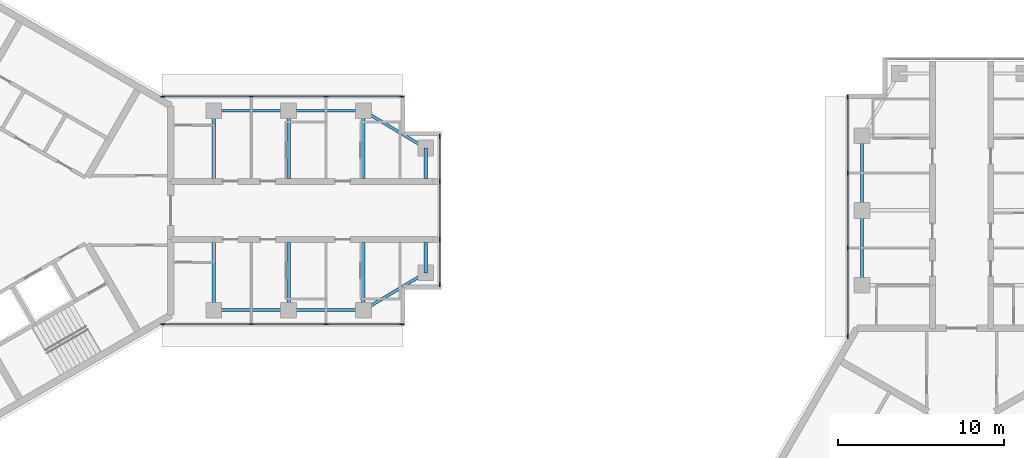
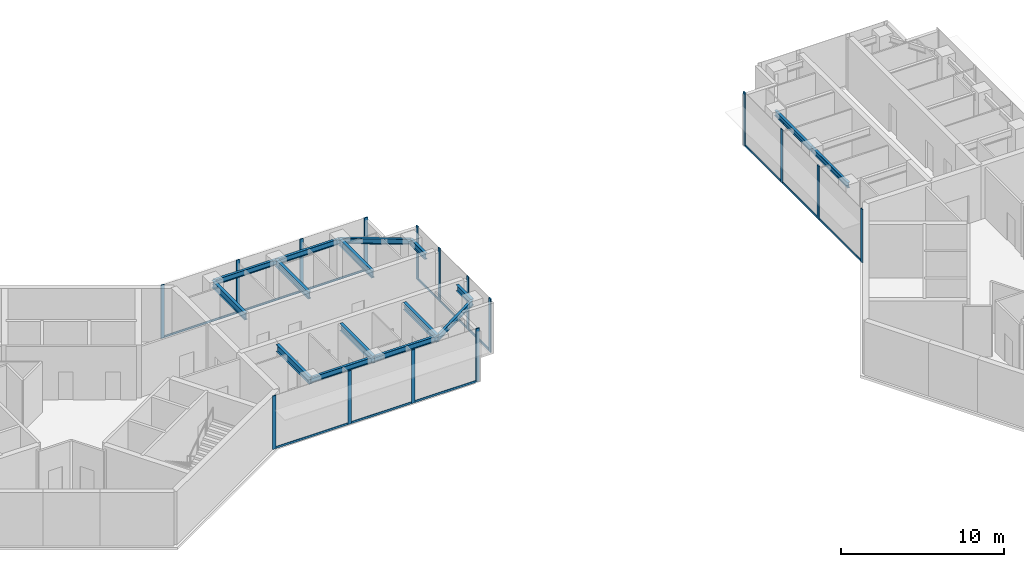
# One storey, part 2 of 11: 28 members, 16 beams, 4 elements without a shape of their own.
"""IFC4 building model written with IfcOpenShell, lengths in metres."""

from ifc_helpers import new_model, si_unit, direction, frame, origin, origin_2d, place, context, subcontext, project, spatial, rectangle, i_section, extrude, material, material_profile, profile_set, type_object, element, aggregate, save


model = new_model("IFC4")

# Units and contexts
model_context = context("Model", 3, precision=1e-05, world=origin(), true_north=direction((0.0, 1.0)))
body_context = subcontext(model_context, "Body", "Model", "MODEL_VIEW")
ifc_project = project(units=[si_unit("LENGTHUNIT", "METRE"), si_unit("AREAUNIT", "SQUARE_METRE"), si_unit("VOLUMEUNIT", "CUBIC_METRE"), si_unit("PLANEANGLEUNIT", "RADIAN"), si_unit("MASSUNIT", "GRAM", prefix="KILO")], contexts=[model_context])

# Site, building, storey
site_placement = place(None, origin())
site = spatial("IfcSite", under=ifc_project, at=site_placement, CompositionType="ELEMENT")
building_placement = place(site_placement, origin())
building = spatial("IfcBuilding", under=site, at=building_placement, Name="Upepo Twin Towers", CompositionType="ELEMENT")
storey_placement = place(building_placement, frame((0.0, 0.0, 279.5)))
storey = spatial("IfcBuildingStorey", under=building, at=storey_placement, Name="L68", CompositionType="ELEMENT", Elevation=279.5)

# Beams
ifc_material_1 = material(Name="Steel S355", Category="steel")
ifc_material_profile_1 = material_profile(ifc_material_1, i_section(OverallWidth=0.177978515625, OverallDepth=0.406494140625, WebThickness=0.0078125, FlangeThickness=0.0126953125, FilletRadius=0.01025390625, at=origin_2d()), Name="UB 406x178x60")
ifc_profile_set_1 = profile_set([ifc_material_profile_1], Name="Steel S355")
beam_type_1 = type_object("IfcBeamType", Name="Beam UB 406x178x60", PredefinedType="BEAM", material=ifc_profile_set_1)
for number, where, z_axis, x_axis, name in (
    (1, (13.5, 6.0, 3.5966796875), (1.0, 0.0, 0.0), (0.0, 1.0, 0.0), "T1 edge beam AL 13.5-18.0"),
    (2, (18.0, 6.0, 3.5966796875), (1.0, 0.0, 0.0), (0.0, 1.0, 0.0), "T1 edge beam AL 18.0-22.5"),
):
    element("IfcBeam", number, at=place(storey_placement, frame(where, z_axis=z_axis, x_axis=x_axis)), inside=storey, type_object=beam_type_1, Name=name, PredefinedType="BEAM", context=body_context, shape_type="SweptSolid", body=[
        extrude(i_section(OverallWidth=0.177978515625, OverallDepth=0.406494140625, WebThickness=0.0078125, FlangeThickness=0.0126953125, FilletRadius=0.01025390625, at=origin_2d()), origin(), (0.0, 0.0, 1.0), 4.5),
    ])
beam_1_placement = place(storey_placement, frame((22.5, 6.0, 3.5966796875), z_axis=(0.857492925713, -0.514495755428, 0.0), x_axis=(0.514495755428, 0.857492925713, 0.0)))
element("IfcBeam", 3, at=beam_1_placement, inside=storey, type_object=beam_type_1, Name="T1 nose edge beam AL", PredefinedType="BEAM", context=body_context, shape_type="SweptSolid", body=[
    extrude(i_section(OverallWidth=0.177978515625, OverallDepth=0.406494140625, WebThickness=0.0078125, FlangeThickness=0.0126953125, FilletRadius=0.01025390625, at=origin_2d()), origin(), (0.0, 0.0, 1.0), 4.373291015625),
])
for number, where, z_axis, x_axis, name in (
    (4, (13.5, -6.0, 3.5966796875), (1.0, 0.0, 0.0), (0.0, 1.0, 0.0), "T1 edge beam AR 13.5-18.0"),
    (5, (18.0, -6.0, 3.5966796875), (1.0, 0.0, 0.0), (0.0, 1.0, 0.0), "T1 edge beam AR 18.0-22.5"),
):
    element("IfcBeam", number, at=place(storey_placement, frame(where, z_axis=z_axis, x_axis=x_axis)), inside=storey, type_object=beam_type_1, Name=name, PredefinedType="BEAM", context=body_context, shape_type="SweptSolid", body=[
        extrude(i_section(OverallWidth=0.177978515625, OverallDepth=0.406494140625, WebThickness=0.0078125, FlangeThickness=0.0126953125, FilletRadius=0.01025390625, at=origin_2d()), origin(), (0.0, 0.0, 1.0), 4.5),
    ])
beam_2_placement = place(storey_placement, frame((22.5, -6.0, 3.5966796875), z_axis=(0.857492925713, 0.514495755428, 0.0), x_axis=(-0.514495755428, 0.857492925713, 0.0)))
element("IfcBeam", 6, at=beam_2_placement, inside=storey, type_object=beam_type_1, Name="T1 nose edge beam AR", PredefinedType="BEAM", context=body_context, shape_type="SweptSolid", body=[
    extrude(i_section(OverallWidth=0.177978515625, OverallDepth=0.406494140625, WebThickness=0.0078125, FlangeThickness=0.0126953125, FilletRadius=0.01025390625, at=origin_2d()), origin(), (0.0, 0.0, 1.0), 4.373291015625),
])
for number, where, z_axis, x_axis, name in (
    (7, (52.5, -4.5, 3.5966796875), (0.0, 1.0, 0.0), (-1.0, 0.0, 0.0), "T2 edge beam AL 13.5-18.0"),
    (8, (52.5, 0.0, 3.5966796875), (0.0, 1.0, 0.0), (-1.0, 0.0, 0.0), "T2 edge beam AL 18.0-22.5"),
):
    element("IfcBeam", number, at=place(storey_placement, frame(where, z_axis=z_axis, x_axis=x_axis)), inside=storey, type_object=beam_type_1, Name=name, PredefinedType="BEAM", context=body_context, shape_type="SweptSolid", body=[
        extrude(i_section(OverallWidth=0.177978515625, OverallDepth=0.406494140625, WebThickness=0.0078125, FlangeThickness=0.0126953125, FilletRadius=0.01025390625, at=origin_2d()), origin(), (0.0, 0.0, 1.0), 4.5),
    ])
ifc_material_2 = material(Name="Steel S355", Category="steel")
ifc_material_profile_2 = material_profile(ifc_material_2, i_section(OverallWidth=0.19140625, OverallDepth=0.4599609375, WebThickness=0.010009765625, FlangeThickness=0.01611328125, FilletRadius=0.01025390625, at=origin_2d()), Name="UB 457x191x82")
ifc_profile_set_2 = profile_set([ifc_material_profile_2], Name="Steel S355")
beam_type_2 = type_object("IfcBeamType", Name="Beam UB 457x191x82", PredefinedType="BEAM", material=ifc_profile_set_2)
for number, where, z_axis, x_axis, name in (
    (9, (26.25, 3.75, 3.570068359375), (0.0, -1.0, 0.0), (1.0, 0.0, 0.0), "T1 nose beam AL"),
    (10, (26.25, -3.75, 3.570068359375), (0.0, 1.0, 0.0), (-1.0, 0.0, 0.0), "T1 nose beam AR"),
):
    element("IfcBeam", number, at=place(storey_placement, frame(where, z_axis=z_axis, x_axis=x_axis)), inside=storey, type_object=beam_type_2, Name=name, PredefinedType="BEAM", context=body_context, shape_type="SweptSolid", body=[
        extrude(i_section(OverallWidth=0.19140625, OverallDepth=0.4599609375, WebThickness=0.010009765625, FlangeThickness=0.01611328125, FilletRadius=0.01025390625, at=origin_2d()), origin(), (0.0, 0.0, 1.0), 1.824951171875),
    ])
ifc_material_3 = material(Name="Steel S355", Category="steel")
ifc_material_profile_3 = material_profile(ifc_material_3, i_section(OverallWidth=0.209228515625, OverallDepth=0.533203125, WebThickness=0.010009765625, FlangeThickness=0.015625, FilletRadius=0.0126953125, at=origin_2d()), Name="UB 533x210x92")
ifc_profile_set_3 = profile_set([ifc_material_profile_3], Name="Steel S355")
beam_type_3 = type_object("IfcBeamType", Name="Beam UB 533x210x92", PredefinedType="BEAM", material=ifc_profile_set_3)
for number, where, z_axis, x_axis, name in (
    (11, (13.5, 6.0, 3.533447265625), (0.0, -1.0, 0.0), (1.0, 0.0, 0.0), "T1 girder AL at 13.5"),
    (12, (18.0, 6.0, 3.533447265625), (0.0, -1.0, 0.0), (1.0, 0.0, 0.0), "T1 girder AL at 18.0"),
    (13, (22.5, 6.0, 3.533447265625), (0.0, -1.0, 0.0), (1.0, 0.0, 0.0), "T1 girder AL at 22.5"),
    (14, (13.5, -6.0, 3.533447265625), (0.0, 1.0, 0.0), (-1.0, 0.0, 0.0), "T1 girder AR at 13.5"),
    (15, (18.0, -6.0, 3.533447265625), (0.0, 1.0, 0.0), (-1.0, 0.0, 0.0), "T1 girder AR at 18.0"),
    (16, (22.5, -6.0, 3.533447265625), (0.0, 1.0, 0.0), (-1.0, 0.0, 0.0), "T1 girder AR at 22.5"),
):
    element("IfcBeam", number, at=place(storey_placement, frame(where, z_axis=z_axis, x_axis=x_axis)), inside=storey, type_object=beam_type_3, Name=name, PredefinedType="BEAM", context=body_context, shape_type="SweptSolid", body=[
        extrude(i_section(OverallWidth=0.209228515625, OverallDepth=0.533203125, WebThickness=0.010009765625, FlangeThickness=0.015625, FilletRadius=0.0126953125, at=origin_2d()), origin(), (0.0, 0.0, 1.0), 4.074951171875),
    ])

# Curtain wall, members
ifc_material_4 = material(Name="Aluminium and fritted glass", Category="aluminium")
curtain_wall_type = type_object("IfcCurtainWallType", Name="Tower curtain wall TW4, fritted glass", PredefinedType="NOTDEFINED", material=ifc_material_4)
curtain_wall_1_placement = place(storey_placement, origin())
curtain_wall_1 = element("IfcCurtainWall", 17, at=curtain_wall_1_placement, inside=storey, type_object=curtain_wall_type, Name="T1 L68 wing A flank L curtain wall", PredefinedType="NOTDEFINED")
ifc_material_5 = material(Name="Aluminium mullion", Category="aluminium")
ifc_material_profile_4 = material_profile(ifc_material_5, rectangle(XDim=0.06494140625, YDim=0.25, at=origin_2d()), Name="MULLION 65x250")
ifc_profile_set_4 = profile_set([ifc_material_profile_4], Name="Aluminium mullion")
member_type_1 = type_object("IfcMemberType", Name="Mullion 65x250 TW4", PredefinedType="MULLION", material=ifc_profile_set_4)
member_1_placement = place(storey_placement, frame((10.419677734375, 6.85009765625, 0.0), z_axis=(0.0, 0.0, 1.0), x_axis=(0.0, 1.0, 0.0)))
member_1 = element("IfcMember", 18, at=member_1_placement, type_object=member_type_1, Name="T1 L68 wing A flank L curtain wall mullion 1", PredefinedType="MULLION", context=body_context, shape_type="SweptSolid", body=[
    extrude(rectangle(XDim=0.06494140625, YDim=0.25, at=origin_2d()), origin(), (0.0, 0.0, 1.0), 4.0),
])
member_2_placement = place(storey_placement, frame((15.75, 6.85009765625, 0.0), z_axis=(0.0, 0.0, 1.0), x_axis=(0.0, 1.0, 0.0)))
member_2 = element("IfcMember", 19, at=member_2_placement, type_object=member_type_1, Name="T1 L68 wing A flank L curtain wall mullion 2", PredefinedType="MULLION", context=body_context, shape_type="SweptSolid", body=[
    extrude(rectangle(XDim=0.06494140625, YDim=0.25, at=origin_2d()), origin(), (0.0, 0.0, 1.0), 4.0),
])
member_3_placement = place(storey_placement, frame((20.25, 6.85009765625, 0.0), z_axis=(0.0, 0.0, 1.0), x_axis=(0.0, 1.0, 0.0)))
member_3 = element("IfcMember", 20, at=member_3_placement, type_object=member_type_1, Name="T1 L68 wing A flank L curtain wall mullion 3", PredefinedType="MULLION", context=body_context, shape_type="SweptSolid", body=[
    extrude(rectangle(XDim=0.06494140625, YDim=0.25, at=origin_2d()), origin(), (0.0, 0.0, 1.0), 4.0),
])
member_4_placement = place(storey_placement, frame((24.8173828125, 6.85009765625, 0.0), z_axis=(0.0, 0.0, 1.0), x_axis=(0.0, 1.0, 0.0)))
member_4 = element("IfcMember", 21, at=member_4_placement, type_object=member_type_1, Name="T1 L68 wing A flank L curtain wall mullion 4", PredefinedType="MULLION", context=body_context, shape_type="SweptSolid", body=[
    extrude(rectangle(XDim=0.06494140625, YDim=0.25, at=origin_2d()), origin(), (0.0, 0.0, 1.0), 4.0),
])

curtain_wall_2_placement = place(storey_placement, origin())
curtain_wall_2 = element("IfcCurtainWall", 22, at=curtain_wall_2_placement, inside=storey, type_object=curtain_wall_type, Name="T1 L68 wing A flank R curtain wall", PredefinedType="NOTDEFINED")
member_5_placement = place(storey_placement, frame((24.8173828125, -6.85009765625, 0.0), z_axis=(0.0, 0.0, 1.0), x_axis=(0.0, -1.0, 0.0)))
member_5 = element("IfcMember", 23, at=member_5_placement, type_object=member_type_1, Name="T1 L68 wing A flank R curtain wall mullion 1", PredefinedType="MULLION", context=body_context, shape_type="SweptSolid", body=[
    extrude(rectangle(XDim=0.06494140625, YDim=0.25, at=origin_2d()), origin(), (0.0, 0.0, 1.0), 4.0),
])
member_6_placement = place(storey_placement, frame((20.25, -6.85009765625, 0.0), z_axis=(0.0, 0.0, 1.0), x_axis=(0.0, -1.0, 0.0)))
member_6 = element("IfcMember", 24, at=member_6_placement, type_object=member_type_1, Name="T1 L68 wing A flank R curtain wall mullion 2", PredefinedType="MULLION", context=body_context, shape_type="SweptSolid", body=[
    extrude(rectangle(XDim=0.06494140625, YDim=0.25, at=origin_2d()), origin(), (0.0, 0.0, 1.0), 4.0),
])
member_7_placement = place(storey_placement, frame((15.75, -6.85009765625, 0.0), z_axis=(0.0, 0.0, 1.0), x_axis=(0.0, -1.0, 0.0)))
member_7 = element("IfcMember", 25, at=member_7_placement, type_object=member_type_1, Name="T1 L68 wing A flank R curtain wall mullion 3", PredefinedType="MULLION", context=body_context, shape_type="SweptSolid", body=[
    extrude(rectangle(XDim=0.06494140625, YDim=0.25, at=origin_2d()), origin(), (0.0, 0.0, 1.0), 4.0),
])
member_8_placement = place(storey_placement, frame((10.419677734375, -6.85009765625, 0.0), z_axis=(0.0, 0.0, 1.0), x_axis=(0.0, -1.0, 0.0)))
member_8 = element("IfcMember", 26, at=member_8_placement, type_object=member_type_1, Name="T1 L68 wing A flank R curtain wall mullion 4", PredefinedType="MULLION", context=body_context, shape_type="SweptSolid", body=[
    extrude(rectangle(XDim=0.06494140625, YDim=0.25, at=origin_2d()), origin(), (0.0, 0.0, 1.0), 4.0),
])

curtain_wall_3_placement = place(storey_placement, origin())
curtain_wall_3 = element("IfcCurtainWall", 27, at=curtain_wall_3_placement, inside=storey, type_object=curtain_wall_type, Name="T1 L68 wing A nose curtain wall", PredefinedType="NOTDEFINED")
member_9_placement = place(storey_placement, frame((27.10009765625, -4.467529296875, 0.0), z_axis=(0.0, 0.0, 1.0), x_axis=(-1.0, 0.0, 0.0)))
member_9 = element("IfcMember", 28, at=member_9_placement, type_object=member_type_1, Name="T1 L68 wing A nose curtain wall mullion 1", PredefinedType="MULLION", context=body_context, shape_type="SweptSolid", body=[
    extrude(rectangle(XDim=0.06494140625, YDim=0.25, at=origin_2d()), origin(), (0.0, 0.0, 1.0), 4.0),
])
member_10_placement = place(storey_placement, frame((27.10009765625, -1.75, 0.0), z_axis=(0.0, 0.0, 1.0), x_axis=(-1.0, 0.0, 0.0)))
member_10 = element("IfcMember", 29, at=member_10_placement, type_object=member_type_1, Name="T1 L68 wing A nose curtain wall mullion 2", PredefinedType="MULLION", context=body_context, shape_type="SweptSolid", body=[
    extrude(rectangle(XDim=0.06494140625, YDim=0.25, at=origin_2d()), origin(), (0.0, 0.0, 1.0), 4.0),
])
member_11_placement = place(storey_placement, frame((27.10009765625, 1.75, 0.0), z_axis=(0.0, 0.0, 1.0), x_axis=(-1.0, 0.0, 0.0)))
member_11 = element("IfcMember", 30, at=member_11_placement, type_object=member_type_1, Name="T1 L68 wing A nose curtain wall mullion 3", PredefinedType="MULLION", context=body_context, shape_type="SweptSolid", body=[
    extrude(rectangle(XDim=0.06494140625, YDim=0.25, at=origin_2d()), origin(), (0.0, 0.0, 1.0), 4.0),
])
member_12_placement = place(storey_placement, frame((27.10009765625, 4.467529296875, 0.0), z_axis=(0.0, 0.0, 1.0), x_axis=(-1.0, 0.0, 0.0)))
member_12 = element("IfcMember", 31, at=member_12_placement, type_object=member_type_1, Name="T1 L68 wing A nose curtain wall mullion 4", PredefinedType="MULLION", context=body_context, shape_type="SweptSolid", body=[
    extrude(rectangle(XDim=0.06494140625, YDim=0.25, at=origin_2d()), origin(), (0.0, 0.0, 1.0), 4.0),
])

curtain_wall_4_placement = place(storey_placement, origin())
curtain_wall_4 = element("IfcCurtainWall", 32, at=curtain_wall_4_placement, inside=storey, type_object=curtain_wall_type, Name="T2 L68 wing A flank L curtain wall", PredefinedType="NOTDEFINED")
member_13_placement = place(storey_placement, frame((51.64990234375, -7.580322265625, 0.0), z_axis=(0.0, 0.0, 1.0), x_axis=(-1.0, 0.0, 0.0)))
member_13 = element("IfcMember", 33, at=member_13_placement, type_object=member_type_1, Name="T2 L68 wing A flank L curtain wall mullion 1", PredefinedType="MULLION", context=body_context, shape_type="SweptSolid", body=[
    extrude(rectangle(XDim=0.06494140625, YDim=0.25, at=origin_2d()), origin(), (0.0, 0.0, 1.0), 4.0),
])
member_14_placement = place(storey_placement, frame((51.64990234375, -2.25, 0.0), z_axis=(0.0, 0.0, 1.0), x_axis=(-1.0, 0.0, 0.0)))
member_14 = element("IfcMember", 34, at=member_14_placement, type_object=member_type_1, Name="T2 L68 wing A flank L curtain wall mullion 2", PredefinedType="MULLION", context=body_context, shape_type="SweptSolid", body=[
    extrude(rectangle(XDim=0.06494140625, YDim=0.25, at=origin_2d()), origin(), (0.0, 0.0, 1.0), 4.0),
])
member_15_placement = place(storey_placement, frame((51.64990234375, 2.25, 0.0), z_axis=(0.0, 0.0, 1.0), x_axis=(-1.0, 0.0, 0.0)))
member_15 = element("IfcMember", 35, at=member_15_placement, type_object=member_type_1, Name="T2 L68 wing A flank L curtain wall mullion 3", PredefinedType="MULLION", context=body_context, shape_type="SweptSolid", body=[
    extrude(rectangle(XDim=0.06494140625, YDim=0.25, at=origin_2d()), origin(), (0.0, 0.0, 1.0), 4.0),
])
member_16_placement = place(storey_placement, frame((51.64990234375, 6.8173828125, 0.0), z_axis=(0.0, 0.0, 1.0), x_axis=(-1.0, 0.0, 0.0)))
member_16 = element("IfcMember", 36, at=member_16_placement, type_object=member_type_1, Name="T2 L68 wing A flank L curtain wall mullion 4", PredefinedType="MULLION", context=body_context, shape_type="SweptSolid", body=[
    extrude(rectangle(XDim=0.06494140625, YDim=0.25, at=origin_2d()), origin(), (0.0, 0.0, 1.0), 4.0),
])

# Member
ifc_material_6 = material(Name="Aluminium transom", Category="aluminium")
ifc_material_profile_5 = material_profile(ifc_material_6, rectangle(XDim=0.06494140625, YDim=0.14990234375, at=origin_2d()), Name="TRANSOM 65x150")
ifc_profile_set_5 = profile_set([ifc_material_profile_5], Name="Aluminium transom")
member_type_2 = type_object("IfcMemberType", Name="Transom 65x150 TW4", PredefinedType="USERDEFINED", material=ifc_profile_set_5)
member_17_placement = place(storey_placement, frame((10.4521484375, 6.85009765625, 0.074951171875), z_axis=(1.0, 0.0, 0.0), x_axis=(0.0, 1.0, 0.0)))
member_17 = element("IfcMember", 37, at=member_17_placement, type_object=member_type_2, Name="T1 L68 wing A flank L curtain wall transom 1", ObjectType="TRANSOM", PredefinedType="USERDEFINED", context=body_context, shape_type="SweptSolid", body=[
    extrude(rectangle(XDim=0.06494140625, YDim=0.14990234375, at=origin_2d()), origin(), (0.0, 0.0, 1.0), 5.265380859375),
])

member_18_placement = place(storey_placement, frame((15.782470703125, 6.85009765625, 0.074951171875), z_axis=(1.0, 0.0, 0.0), x_axis=(0.0, 1.0, 0.0)))
member_18 = element("IfcMember", 38, at=member_18_placement, type_object=member_type_2, Name="T1 L68 wing A flank L curtain wall transom 2", ObjectType="TRANSOM", PredefinedType="USERDEFINED", context=body_context, shape_type="SweptSolid", body=[
    extrude(rectangle(XDim=0.06494140625, YDim=0.14990234375, at=origin_2d()), origin(), (0.0, 0.0, 1.0), 4.43505859375),
])

member_19_placement = place(storey_placement, frame((20.282470703125, 6.85009765625, 0.074951171875), z_axis=(1.0, 0.0, 0.0), x_axis=(0.0, 1.0, 0.0)))
member_19 = element("IfcMember", 39, at=member_19_placement, type_object=member_type_2, Name="T1 L68 wing A flank L curtain wall transom 3", ObjectType="TRANSOM", PredefinedType="USERDEFINED", context=body_context, shape_type="SweptSolid", body=[
    extrude(rectangle(XDim=0.06494140625, YDim=0.14990234375, at=origin_2d()), origin(), (0.0, 0.0, 1.0), 4.50244140625),
])

aggregate(curtain_wall_1, [member_1, member_2, member_3, member_4, member_17, member_18, member_19])

member_20_placement = place(storey_placement, frame((24.784912109375, -6.85009765625, 0.074951171875), z_axis=(-1.0, 0.0, 0.0), x_axis=(0.0, -1.0, 0.0)))
member_20 = element("IfcMember", 40, at=member_20_placement, type_object=member_type_2, Name="T1 L68 wing A flank R curtain wall transom 1", ObjectType="TRANSOM", PredefinedType="USERDEFINED", context=body_context, shape_type="SweptSolid", body=[
    extrude(rectangle(XDim=0.06494140625, YDim=0.14990234375, at=origin_2d()), origin(), (0.0, 0.0, 1.0), 4.50244140625),
])

member_21_placement = place(storey_placement, frame((20.217529296875, -6.85009765625, 0.074951171875), z_axis=(-1.0, 0.0, 0.0), x_axis=(0.0, -1.0, 0.0)))
member_21 = element("IfcMember", 41, at=member_21_placement, type_object=member_type_2, Name="T1 L68 wing A flank R curtain wall transom 2", ObjectType="TRANSOM", PredefinedType="USERDEFINED", context=body_context, shape_type="SweptSolid", body=[
    extrude(rectangle(XDim=0.06494140625, YDim=0.14990234375, at=origin_2d()), origin(), (0.0, 0.0, 1.0), 4.43505859375),
])

member_22_placement = place(storey_placement, frame((15.717529296875, -6.85009765625, 0.074951171875), z_axis=(-1.0, 0.0, 0.0), x_axis=(0.0, -1.0, 0.0)))
member_22 = element("IfcMember", 42, at=member_22_placement, type_object=member_type_2, Name="T1 L68 wing A flank R curtain wall transom 3", ObjectType="TRANSOM", PredefinedType="USERDEFINED", context=body_context, shape_type="SweptSolid", body=[
    extrude(rectangle(XDim=0.06494140625, YDim=0.14990234375, at=origin_2d()), origin(), (0.0, 0.0, 1.0), 5.265380859375),
])

aggregate(curtain_wall_2, [member_5, member_6, member_7, member_8, member_20, member_21, member_22])

member_23_placement = place(storey_placement, frame((27.10009765625, -4.43505859375, 0.074951171875), z_axis=(0.0, 1.0, 0.0), x_axis=(-1.0, 0.0, 0.0)))
member_23 = element("IfcMember", 43, at=member_23_placement, type_object=member_type_2, Name="T1 L68 wing A nose curtain wall transom 1", ObjectType="TRANSOM", PredefinedType="USERDEFINED", context=body_context, shape_type="SweptSolid", body=[
    extrude(rectangle(XDim=0.06494140625, YDim=0.14990234375, at=origin_2d()), origin(), (0.0, 0.0, 1.0), 2.652587890625),
])

member_24_placement = place(storey_placement, frame((27.10009765625, -1.717529296875, 0.074951171875), z_axis=(0.0, 1.0, 0.0), x_axis=(-1.0, 0.0, 0.0)))
member_24 = element("IfcMember", 44, at=member_24_placement, type_object=member_type_2, Name="T1 L68 wing A nose curtain wall transom 2", ObjectType="TRANSOM", PredefinedType="USERDEFINED", context=body_context, shape_type="SweptSolid", body=[
    extrude(rectangle(XDim=0.06494140625, YDim=0.14990234375, at=origin_2d()), origin(), (0.0, 0.0, 1.0), 3.43505859375),
])

member_25_placement = place(storey_placement, frame((27.10009765625, 1.782470703125, 0.074951171875), z_axis=(0.0, 1.0, 0.0), x_axis=(-1.0, 0.0, 0.0)))
member_25 = element("IfcMember", 45, at=member_25_placement, type_object=member_type_2, Name="T1 L68 wing A nose curtain wall transom 3", ObjectType="TRANSOM", PredefinedType="USERDEFINED", context=body_context, shape_type="SweptSolid", body=[
    extrude(rectangle(XDim=0.06494140625, YDim=0.14990234375, at=origin_2d()), origin(), (0.0, 0.0, 1.0), 2.652587890625),
])

aggregate(curtain_wall_3, [member_9, member_10, member_11, member_12, member_23, member_24, member_25])

member_26_placement = place(storey_placement, frame((51.64990234375, -7.5478515625, 0.074951171875), z_axis=(0.0, 1.0, 0.0), x_axis=(-1.0, 0.0, 0.0)))
member_26 = element("IfcMember", 46, at=member_26_placement, type_object=member_type_2, Name="T2 L68 wing A flank L curtain wall transom 1", ObjectType="TRANSOM", PredefinedType="USERDEFINED", context=body_context, shape_type="SweptSolid", body=[
    extrude(rectangle(XDim=0.06494140625, YDim=0.14990234375, at=origin_2d()), origin(), (0.0, 0.0, 1.0), 5.265380859375),
])

member_27_placement = place(storey_placement, frame((51.64990234375, -2.217529296875, 0.074951171875), z_axis=(0.0, 1.0, 0.0), x_axis=(-1.0, 0.0, 0.0)))
member_27 = element("IfcMember", 47, at=member_27_placement, type_object=member_type_2, Name="T2 L68 wing A flank L curtain wall transom 2", ObjectType="TRANSOM", PredefinedType="USERDEFINED", context=body_context, shape_type="SweptSolid", body=[
    extrude(rectangle(XDim=0.06494140625, YDim=0.14990234375, at=origin_2d()), origin(), (0.0, 0.0, 1.0), 4.43505859375),
])

member_28_placement = place(storey_placement, frame((51.64990234375, 2.282470703125, 0.074951171875), z_axis=(0.0, 1.0, 0.0), x_axis=(-1.0, 0.0, 0.0)))
member_28 = element("IfcMember", 48, at=member_28_placement, type_object=member_type_2, Name="T2 L68 wing A flank L curtain wall transom 3", ObjectType="TRANSOM", PredefinedType="USERDEFINED", context=body_context, shape_type="SweptSolid", body=[
    extrude(rectangle(XDim=0.06494140625, YDim=0.14990234375, at=origin_2d()), origin(), (0.0, 0.0, 1.0), 4.50244140625),
])

aggregate(curtain_wall_4, [member_13, member_14, member_15, member_16, member_26, member_27, member_28])

save(model, "model.ifc")
